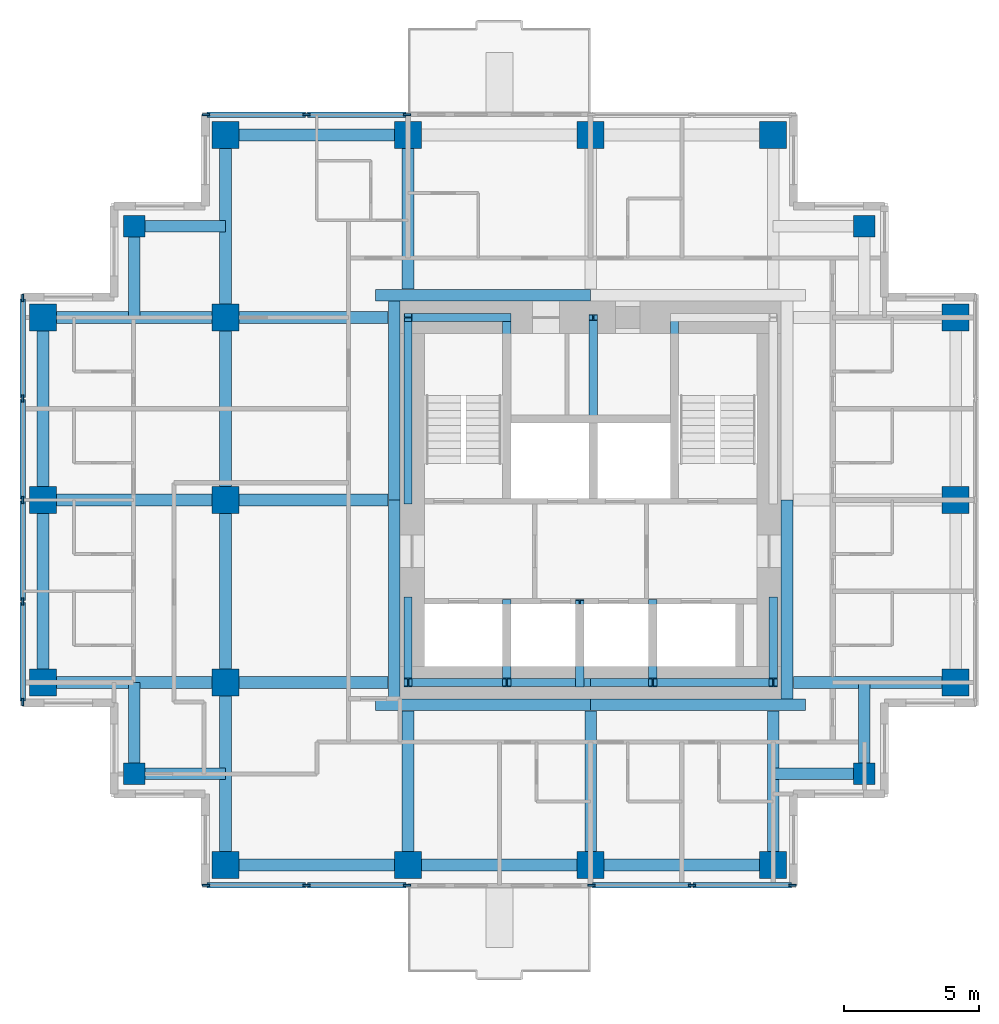
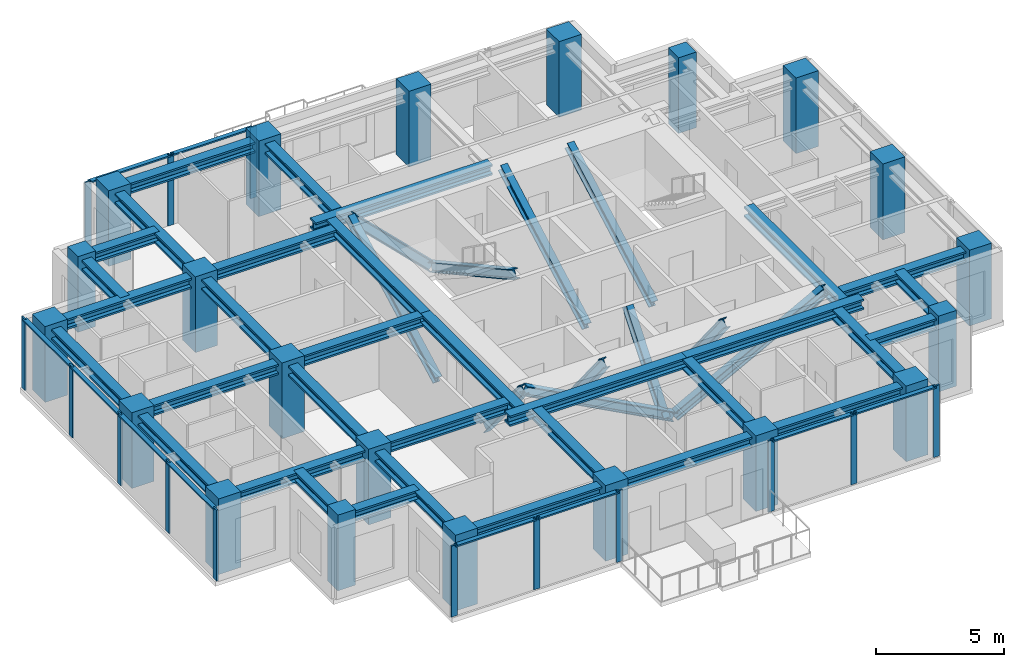
# One storey, part 1 of 8: 36 members, 33 beams, 21 columns, 4 elements without a shape of their own.
"""IFC4 building model written with IfcOpenShell, lengths in metres."""

from ifc_helpers import new_model, si_unit, direction, frame, origin, origin_2d, place, context, subcontext, project, spatial, rectangle, i_section, extrude, material, material_profile, profile_set, type_object, element, aggregate, save


model = new_model("IFC4")

# Units and contexts
model_context = context("Model", 3, precision=1e-05, world=origin(), true_north=direction((0.0, 1.0)))
body_context = subcontext(model_context, "Body", "Model", "MODEL_VIEW")
ifc_project = project(units=[si_unit("LENGTHUNIT", "METRE"), si_unit("AREAUNIT", "SQUARE_METRE"), si_unit("VOLUMEUNIT", "CUBIC_METRE"), si_unit("PLANEANGLEUNIT", "RADIAN"), si_unit("MASSUNIT", "GRAM", prefix="KILO")], contexts=[model_context])

# Site, building, storey
site_placement = place(None, origin())
site = spatial("IfcSite", under=ifc_project, at=site_placement, CompositionType="ELEMENT")
building_placement = place(site_placement, origin())
building = spatial("IfcBuilding", under=site, at=building_placement, Name="Nyansa Garden Tower", CompositionType="ELEMENT")
storey_placement = place(building_placement, frame((0.0, 0.0, 240.300048828125)))
storey = spatial("IfcBuildingStorey", under=building, at=storey_placement, Name="L65", CompositionType="ELEMENT", Elevation=240.300048828125)

# Columns
ifc_material_1 = material(Name="Concrete C70/85", Category="concrete")
ifc_material_profile_1 = material_profile(ifc_material_1, rectangle(XDim=1.0, YDim=1.0, at=origin_2d()), Name="RC 1000x1000")
ifc_profile_set_1 = profile_set([ifc_material_profile_1], Name="Concrete C70/85")
column_type_1 = type_object("IfcColumnType", Name="Column C100 RC 1000x1000", PredefinedType="COLUMN", material=ifc_profile_set_1)
for number, where, z_axis, x_axis, name in (
    (1, (0.0, 13.5, 0.0), (0.0, 0.0, 1.0), (1.0, 0.0, 0.0), "Column 2/F L65"),
    (2, (0.0, 20.25, 0.0), (0.0, 0.0, 1.0), (1.0, 0.0, 0.0), "Column 2/G L65"),
    (3, (0.0, 27.0, 0.0), (0.0, 0.0, 1.0), (1.0, 0.0, 0.0), "Column 2/H L65"),
    (4, (6.75, 6.75, 0.0), (0.0, 0.0, 1.0), (1.0, 0.0, 0.0), "Column 3/E L65"),
    (5, (6.75, 13.5, 0.0), (0.0, 0.0, 1.0), (1.0, 0.0, 0.0), "Column 3/F L65"),
    (6, (6.75, 20.25, 0.0), (0.0, 0.0, 1.0), (1.0, 0.0, 0.0), "Column 3/G L65"),
    (7, (6.75, 27.0, 0.0), (0.0, 0.0, 1.0), (1.0, 0.0, 0.0), "Column 3/H L65"),
    (8, (6.75, 33.75, 0.0), (0.0, 0.0, 1.0), (1.0, 0.0, 0.0), "Column 3/J L65"),
    (9, (13.5, 6.75, 0.0), (0.0, 0.0, 1.0), (1.0, 0.0, 0.0), "Column 4/E L65"),
    (10, (13.5, 33.75, 0.0), (0.0, 0.0, 1.0), (1.0, 0.0, 0.0), "Column 4/J L65"),
    (11, (20.25, 6.75, 0.0), (0.0, 0.0, 1.0), (1.0, 0.0, 0.0), "Column 5/E L65"),
    (12, (20.25, 33.75, 0.0), (0.0, 0.0, 1.0), (1.0, 0.0, 0.0), "Column 5/J L65"),
    (13, (27.0, 6.75, 0.0), (0.0, 0.0, 1.0), (1.0, 0.0, 0.0), "Column 6/E L65"),
    (14, (27.0, 33.75, 0.0), (0.0, 0.0, 1.0), (1.0, 0.0, 0.0), "Column 6/J L65"),
    (15, (33.75, 13.5, 0.0), (0.0, 0.0, 1.0), (1.0, 0.0, 0.0), "Column 7/F L65"),
    (16, (33.75, 20.25, 0.0), (0.0, 0.0, 1.0), (1.0, 0.0, 0.0), "Column 7/G L65"),
    (17, (33.75, 27.0, 0.0), (0.0, 0.0, 1.0), (1.0, 0.0, 0.0), "Column 7/H L65"),
):
    element("IfcColumn", number, at=place(storey_placement, frame(where, z_axis=z_axis, x_axis=x_axis)), inside=storey, type_object=column_type_1, Name=name, PredefinedType="COLUMN", context=body_context, shape_type="SweptSolid", body=[
        extrude(rectangle(XDim=1.0, YDim=1.0, at=origin_2d()), origin(), (0.0, 0.0, 1.0), 3.599853515625),
    ])
ifc_material_2 = material(Name="Concrete C70/85", Category="concrete")
ifc_material_profile_2 = material_profile(ifc_material_2, rectangle(XDim=0.800048828125, YDim=0.800048828125, at=origin_2d()), Name="RC 800x800")
ifc_profile_set_2 = profile_set([ifc_material_profile_2], Name="Concrete C70/85")
column_type_2 = type_object("IfcColumnType", Name="Column C80 RC 800x800", PredefinedType="COLUMN", material=ifc_profile_set_2)
for number, where, z_axis, x_axis, name in (
    (18, (3.375, 10.125, 0.0), (0.0, 0.0, 1.0), (1.0, 0.0, 0.0), "Column x3.375/y10.125 L65"),
    (19, (3.375, 30.375, 0.0), (0.0, 0.0, 1.0), (1.0, 0.0, 0.0), "Column x3.375/y30.375 L65"),
    (20, (30.375, 10.125, 0.0), (0.0, 0.0, 1.0), (1.0, 0.0, 0.0), "Column x30.375/y10.125 L65"),
    (21, (30.375, 30.375, 0.0), (0.0, 0.0, 1.0), (1.0, 0.0, 0.0), "Column x30.375/y30.375 L65"),
):
    element("IfcColumn", number, at=place(storey_placement, frame(where, z_axis=z_axis, x_axis=x_axis)), inside=storey, type_object=column_type_2, Name=name, PredefinedType="COLUMN", context=body_context, shape_type="SweptSolid", body=[
        extrude(rectangle(XDim=0.800048828125, YDim=0.800048828125, at=origin_2d()), origin(), (0.0, 0.0, 1.0), 3.599853515625),
    ])

# Curtain wall, members
ifc_material_3 = material(Name="Black anodised aluminium, dark tinted double glazing", Category="aluminium")
curtain_wall_type = type_object("IfcCurtainWallType", Name="Inner skin curtain wall ISW-D", PredefinedType="USERDEFINED", material=ifc_material_3)
curtain_wall_1_placement = place(storey_placement, origin())
curtain_wall_1 = element("IfcCurtainWall", 22, at=curtain_wall_1_placement, inside=storey, type_object=curtain_wall_type, Name="Inner skin curtain wall L65 N", ObjectType="UNITISED CURTAIN WALL", PredefinedType="USERDEFINED")
ifc_material_4 = material(Name="Black anodised aluminium", Category="aluminium")
ifc_material_profile_3 = material_profile(ifc_material_4, rectangle(XDim=0.070068359375, YDim=0.27490234375, at=origin_2d()), Name="Mullion 275x70")
ifc_profile_set_3 = profile_set([ifc_material_profile_3], Name="Black anodised aluminium")
member_type_1 = type_object("IfcMemberType", Name="Mullion ISW-D 275x70", PredefinedType="MULLION", material=ifc_profile_set_3)
member_1_placement = place(storey_placement, frame((13.465087890625, 34.5, 0.0), z_axis=(0.0, 0.0, 1.0), x_axis=(0.0, -1.0, 0.0)))
member_1 = element("IfcMember", 23, at=member_1_placement, type_object=member_type_1, Name="ISW-D mullion 1", PredefinedType="MULLION", context=body_context, shape_type="SweptSolid", body=[
    extrude(rectangle(XDim=0.070068359375, YDim=0.27490234375, at=origin_2d()), origin(), (0.0, 0.0, 1.0), 3.375),
])
member_2_placement = place(storey_placement, frame((9.75, 34.5, 0.0), z_axis=(0.0, 0.0, 1.0), x_axis=(0.0, -1.0, 0.0)))
member_2 = element("IfcMember", 24, at=member_2_placement, type_object=member_type_1, Name="ISW-D mullion 2", PredefinedType="MULLION", context=body_context, shape_type="SweptSolid", body=[
    extrude(rectangle(XDim=0.070068359375, YDim=0.27490234375, at=origin_2d()), origin(), (0.0, 0.0, 1.0), 3.375),
])
member_3_placement = place(storey_placement, frame((6.034912109375, 34.5, 0.0), z_axis=(0.0, 0.0, 1.0), x_axis=(0.0, -1.0, 0.0)))
member_3 = element("IfcMember", 25, at=member_3_placement, type_object=member_type_1, Name="ISW-D mullion 3", PredefinedType="MULLION", context=body_context, shape_type="SweptSolid", body=[
    extrude(rectangle(XDim=0.070068359375, YDim=0.27490234375, at=origin_2d()), origin(), (0.0, 0.0, 1.0), 3.375),
])

curtain_wall_2_placement = place(storey_placement, origin())
curtain_wall_2 = element("IfcCurtainWall", 26, at=curtain_wall_2_placement, inside=storey, type_object=curtain_wall_type, Name="Inner skin curtain wall L65 W", ObjectType="UNITISED CURTAIN WALL", PredefinedType="USERDEFINED")
member_4_placement = place(storey_placement, frame((-0.75, 27.715087890625, 0.0), z_axis=(0.0, 0.0, 1.0), x_axis=(1.0, 0.0, 0.0)))
member_4 = element("IfcMember", 27, at=member_4_placement, type_object=member_type_1, Name="ISW-D mullion 1", PredefinedType="MULLION", context=body_context, shape_type="SweptSolid", body=[
    extrude(rectangle(XDim=0.070068359375, YDim=0.27490234375, at=origin_2d()), origin(), (0.0, 0.0, 1.0), 3.375),
])
member_5_placement = place(storey_placement, frame((-0.75, 24.0, 0.0), z_axis=(0.0, 0.0, 1.0), x_axis=(1.0, 0.0, 0.0)))
member_5 = element("IfcMember", 28, at=member_5_placement, type_object=member_type_1, Name="ISW-D mullion 2", PredefinedType="MULLION", context=body_context, shape_type="SweptSolid", body=[
    extrude(rectangle(XDim=0.070068359375, YDim=0.27490234375, at=origin_2d()), origin(), (0.0, 0.0, 1.0), 3.375),
])
member_6_placement = place(storey_placement, frame((-0.75, 20.25, 0.0), z_axis=(0.0, 0.0, 1.0), x_axis=(1.0, 0.0, 0.0)))
member_6 = element("IfcMember", 29, at=member_6_placement, type_object=member_type_1, Name="ISW-D mullion 3", PredefinedType="MULLION", context=body_context, shape_type="SweptSolid", body=[
    extrude(rectangle(XDim=0.070068359375, YDim=0.27490234375, at=origin_2d()), origin(), (0.0, 0.0, 1.0), 3.375),
])
member_7_placement = place(storey_placement, frame((-0.75, 16.5, 0.0), z_axis=(0.0, 0.0, 1.0), x_axis=(1.0, 0.0, 0.0)))
member_7 = element("IfcMember", 30, at=member_7_placement, type_object=member_type_1, Name="ISW-D mullion 4", PredefinedType="MULLION", context=body_context, shape_type="SweptSolid", body=[
    extrude(rectangle(XDim=0.070068359375, YDim=0.27490234375, at=origin_2d()), origin(), (0.0, 0.0, 1.0), 3.375),
])
member_8_placement = place(storey_placement, frame((-0.75, 12.784912109375, 0.0), z_axis=(0.0, 0.0, 1.0), x_axis=(1.0, 0.0, 0.0)))
member_8 = element("IfcMember", 31, at=member_8_placement, type_object=member_type_1, Name="ISW-D mullion 5", PredefinedType="MULLION", context=body_context, shape_type="SweptSolid", body=[
    extrude(rectangle(XDim=0.070068359375, YDim=0.27490234375, at=origin_2d()), origin(), (0.0, 0.0, 1.0), 3.375),
])

curtain_wall_3_placement = place(storey_placement, origin())
curtain_wall_3 = element("IfcCurtainWall", 32, at=curtain_wall_3_placement, inside=storey, type_object=curtain_wall_type, Name="Inner skin curtain wall L65 S", ObjectType="UNITISED CURTAIN WALL", PredefinedType="USERDEFINED")
member_9_placement = place(storey_placement, frame((6.034912109375, 6.0, 0.0), z_axis=(0.0, 0.0, 1.0), x_axis=(0.0, 1.0, 0.0)))
member_9 = element("IfcMember", 33, at=member_9_placement, type_object=member_type_1, Name="ISW-D mullion 1", PredefinedType="MULLION", context=body_context, shape_type="SweptSolid", body=[
    extrude(rectangle(XDim=0.070068359375, YDim=0.27490234375, at=origin_2d()), origin(), (0.0, 0.0, 1.0), 3.375),
])
member_10_placement = place(storey_placement, frame((9.75, 6.0, 0.0), z_axis=(0.0, 0.0, 1.0), x_axis=(0.0, 1.0, 0.0)))
member_10 = element("IfcMember", 34, at=member_10_placement, type_object=member_type_1, Name="ISW-D mullion 2", PredefinedType="MULLION", context=body_context, shape_type="SweptSolid", body=[
    extrude(rectangle(XDim=0.070068359375, YDim=0.27490234375, at=origin_2d()), origin(), (0.0, 0.0, 1.0), 3.375),
])
member_11_placement = place(storey_placement, frame((13.465087890625, 6.0, 0.0), z_axis=(0.0, 0.0, 1.0), x_axis=(0.0, 1.0, 0.0)))
member_11 = element("IfcMember", 35, at=member_11_placement, type_object=member_type_1, Name="ISW-D mullion 3", PredefinedType="MULLION", context=body_context, shape_type="SweptSolid", body=[
    extrude(rectangle(XDim=0.070068359375, YDim=0.27490234375, at=origin_2d()), origin(), (0.0, 0.0, 1.0), 3.375),
])

curtain_wall_4_placement = place(storey_placement, origin())
curtain_wall_4 = element("IfcCurtainWall", 36, at=curtain_wall_4_placement, inside=storey, type_object=curtain_wall_type, Name="Inner skin curtain wall L65 S", ObjectType="UNITISED CURTAIN WALL", PredefinedType="USERDEFINED")
member_12_placement = place(storey_placement, frame((20.284912109375, 6.0, 0.0), z_axis=(0.0, 0.0, 1.0), x_axis=(0.0, 1.0, 0.0)))
member_12 = element("IfcMember", 37, at=member_12_placement, type_object=member_type_1, Name="ISW-D mullion 1", PredefinedType="MULLION", context=body_context, shape_type="SweptSolid", body=[
    extrude(rectangle(XDim=0.070068359375, YDim=0.27490234375, at=origin_2d()), origin(), (0.0, 0.0, 1.0), 3.375),
])
member_13_placement = place(storey_placement, frame((24.0, 6.0, 0.0), z_axis=(0.0, 0.0, 1.0), x_axis=(0.0, 1.0, 0.0)))
member_13 = element("IfcMember", 38, at=member_13_placement, type_object=member_type_1, Name="ISW-D mullion 2", PredefinedType="MULLION", context=body_context, shape_type="SweptSolid", body=[
    extrude(rectangle(XDim=0.070068359375, YDim=0.27490234375, at=origin_2d()), origin(), (0.0, 0.0, 1.0), 3.375),
])
member_14_placement = place(storey_placement, frame((27.715087890625, 6.0, 0.0), z_axis=(0.0, 0.0, 1.0), x_axis=(0.0, 1.0, 0.0)))
member_14 = element("IfcMember", 39, at=member_14_placement, type_object=member_type_1, Name="ISW-D mullion 3", PredefinedType="MULLION", context=body_context, shape_type="SweptSolid", body=[
    extrude(rectangle(XDim=0.070068359375, YDim=0.27490234375, at=origin_2d()), origin(), (0.0, 0.0, 1.0), 3.375),
])

# Members
ifc_material_5 = material(Name="Steel S355", Category="steel")
ifc_material_profile_4 = material_profile(ifc_material_5, i_section(OverallWidth=0.306884765625, OverallDepth=0.431884765625, WebThickness=0.02099609375, FlangeThickness=0.0400390625, FilletRadius=0.027099609375, at=origin_2d()), Name="HE 400 M")
ifc_profile_set_4 = profile_set([ifc_material_profile_4], Name="Steel S355")
member_type_2 = type_object("IfcMemberType", Name="Perimeter brace HE 400 M", PredefinedType="BRACE", material=ifc_profile_set_4)
for number, where, z_axis, x_axis, name in (
    (40, (20.25, 13.5, 0.0), (-0.882360891967, 0.0, 0.470573327259), (0.0, -1.0, 0.0), "Core brace CS1 L65"),
    (41, (20.25, 13.5, 0.0), (0.882360891967, 0.0, 0.470573327259), (0.0, 1.0, 0.0), "Core brace CS2 L65"),
):
    element("IfcMember", number, at=place(storey_placement, frame(where, z_axis=z_axis, x_axis=x_axis)), inside=storey, type_object=member_type_2, Name=name, PredefinedType="BRACE", context=body_context, shape_type="SweptSolid", body=[
        extrude(i_section(OverallWidth=0.306884765625, OverallDepth=0.431884765625, WebThickness=0.02099609375, FlangeThickness=0.0400390625, FilletRadius=0.027099609375, at=origin_2d()), origin(), (0.0, 0.0, 1.0), 7.64990234375),
    ])
member_15_placement = place(storey_placement, frame((17.14990234375, 27.0, 0.0), z_axis=(-0.711971340796, 0.0, 0.702208523079), x_axis=(0.0, -1.0, 0.0)))
element("IfcMember", 42, at=member_15_placement, inside=storey, type_object=member_type_2, Name="Core brace CN3 L65", PredefinedType="BRACE", context=body_context, shape_type="SweptSolid", body=[
    extrude(i_section(OverallWidth=0.306884765625, OverallDepth=0.431884765625, WebThickness=0.02099609375, FlangeThickness=0.0400390625, FilletRadius=0.027099609375, at=origin_2d()), origin(), (0.0, 0.0, 1.0), 5.12646484375),
])
member_16_placement = place(storey_placement, frame((13.5, 16.5, 0.0), z_axis=(0.0, -0.640199773186, 0.768208468069), x_axis=(1.0, 0.0, 0.0)))
element("IfcMember", 43, at=member_16_placement, inside=storey, type_object=member_type_2, Name="Core brace CW5 L65", PredefinedType="BRACE", context=body_context, shape_type="SweptSolid", body=[
    extrude(i_section(OverallWidth=0.306884765625, OverallDepth=0.431884765625, WebThickness=0.02099609375, FlangeThickness=0.0400390625, FilletRadius=0.027099609375, at=origin_2d()), origin(), (0.0, 0.0, 1.0), 4.68603515625),
])
member_17_placement = place(storey_placement, frame((13.5, 20.199951171875, 0.0), z_axis=(0.0, 0.883797178129, 0.467870225524), x_axis=(-1.0, 0.0, 0.0)))
element("IfcMember", 44, at=member_17_placement, inside=storey, type_object=member_type_2, Name="Core brace CW6 L65", PredefinedType="BRACE", context=body_context, shape_type="SweptSolid", body=[
    extrude(i_section(OverallWidth=0.306884765625, OverallDepth=0.431884765625, WebThickness=0.02099609375, FlangeThickness=0.0400390625, FilletRadius=0.027099609375, at=origin_2d()), origin(), (0.0, 0.0, 1.0), 7.694091796875),
])
member_18_placement = place(storey_placement, frame((27.0, 16.5, 0.0), z_axis=(0.0, -0.640199773186, 0.768208468069), x_axis=(1.0, 0.0, 0.0)))
element("IfcMember", 45, at=member_18_placement, inside=storey, type_object=member_type_2, Name="Core brace CE7 L65", PredefinedType="BRACE", context=body_context, shape_type="SweptSolid", body=[
    extrude(i_section(OverallWidth=0.306884765625, OverallDepth=0.431884765625, WebThickness=0.02099609375, FlangeThickness=0.0400390625, FilletRadius=0.027099609375, at=origin_2d()), origin(), (0.0, 0.0, 1.0), 4.68603515625),
])
for number, where, z_axis, x_axis, name in (
    (46, (17.14990234375, 27.0, 0.0), (0.0, -0.876366901673, 0.481644115143), (1.0, 0.0, 0.0), "Core brace CWS9 L65"),
    (47, (23.35009765625, 20.449951171875, 0.0), (0.0, 0.876366901673, 0.481644115143), (-1.0, 0.0, 0.0), "Core brace CES10 L65"),
):
    element("IfcMember", number, at=place(storey_placement, frame(where, z_axis=z_axis, x_axis=x_axis)), inside=storey, type_object=member_type_2, Name=name, PredefinedType="BRACE", context=body_context, shape_type="SweptSolid", body=[
        extrude(i_section(OverallWidth=0.306884765625, OverallDepth=0.431884765625, WebThickness=0.02099609375, FlangeThickness=0.0400390625, FilletRadius=0.027099609375, at=origin_2d()), origin(), (0.0, 0.0, 1.0), 7.47412109375),
    ])
for number, where, z_axis, x_axis, name in (
    (48, (17.14990234375, 16.39990234375, 0.0), (0.0, -0.627332207022, 0.778751758928), (1.0, 0.0, 0.0), "Core brace CSW11 L65"),
    (49, (19.85009765625, 13.5, 0.0), (0.0, 0.627332207022, 0.778751758928), (-1.0, 0.0, 0.0), "Core brace CSW12 L65"),
    (50, (22.550048828125, 16.39990234375, 0.0), (0.0, -0.627332207022, 0.778751758928), (1.0, 0.0, 0.0), "Core brace CSW13 L65"),
):
    element("IfcMember", number, at=place(storey_placement, frame(where, z_axis=z_axis, x_axis=x_axis)), inside=storey, type_object=member_type_2, Name=name, PredefinedType="BRACE", context=body_context, shape_type="SweptSolid", body=[
        extrude(i_section(OverallWidth=0.306884765625, OverallDepth=0.431884765625, WebThickness=0.02099609375, FlangeThickness=0.0400390625, FilletRadius=0.027099609375, at=origin_2d()), origin(), (0.0, 0.0, 1.0), 4.62255859375),
    ])
member_19_placement = place(storey_placement, frame((20.35009765625, 20.449951171875, 0.0), z_axis=(0.0, 0.876366901673, 0.481644115143), x_axis=(-1.0, 0.0, 0.0)))
element("IfcMember", 51, at=member_19_placement, inside=storey, type_object=member_type_2, Name="Core brace CNW14 L65", PredefinedType="BRACE", context=body_context, shape_type="SweptSolid", body=[
    extrude(i_section(OverallWidth=0.306884765625, OverallDepth=0.431884765625, WebThickness=0.02099609375, FlangeThickness=0.0400390625, FilletRadius=0.027099609375, at=origin_2d()), origin(), (0.0, 0.0, 1.0), 7.47412109375),
])

# Beams
ifc_material_6 = material(Name="Steel S355", Category="steel")
ifc_material_profile_5 = material_profile(ifc_material_6, i_section(OverallWidth=0.431884765625, OverallDepth=0.498046875, WebThickness=0.0556640625, FlangeThickness=0.0888671875, FilletRadius=0.014892578125, at=origin_2d()), Name="HD 400x744")
ifc_profile_set_5 = profile_set([ifc_material_profile_5], Name="Steel S355")
beam_type_1 = type_object("IfcBeamType", Name="Steel beam SBD1-744 HD 400x744", PredefinedType="BEAM", material=ifc_profile_set_5)
for number, where, z_axis, x_axis, name in (
    (52, (0.0, 13.5, 3.1259765625), (1.0, 0.0, 0.0), (0.0, 1.0, 0.0), "Steel beam 2/F-3/F L66"),
    (53, (0.0, 20.25, 3.1259765625), (1.0, 0.0, 0.0), (0.0, 1.0, 0.0), "Steel beam 2/G-3/G L66"),
    (54, (0.0, 27.0, 3.1259765625), (1.0, 0.0, 0.0), (0.0, 1.0, 0.0), "Steel beam 2/H-3/H L66"),
    (55, (6.75, 6.75, 3.1259765625), (0.0, 1.0, 0.0), (-1.0, 0.0, 0.0), "Steel beam 3/E-3/F L66"),
    (56, (6.75, 13.5, 3.1259765625), (0.0, 1.0, 0.0), (-1.0, 0.0, 0.0), "Steel beam 3/F-3/G L66"),
):
    element("IfcBeam", number, at=place(storey_placement, frame(where, z_axis=z_axis, x_axis=x_axis)), inside=storey, type_object=beam_type_1, Name=name, PredefinedType="BEAM", context=body_context, shape_type="SweptSolid", body=[
        extrude(i_section(OverallWidth=0.431884765625, OverallDepth=0.498046875, WebThickness=0.0556640625, FlangeThickness=0.0888671875, FilletRadius=0.014892578125, at=origin_2d()), origin(), (0.0, 0.0, 1.0), 6.75),
    ])
beam_1_placement = place(storey_placement, frame((6.75, 13.5, 3.1259765625), z_axis=(1.0, 0.0, 0.0), x_axis=(0.0, 1.0, 0.0)))
element("IfcBeam", 57, at=beam_1_placement, inside=storey, type_object=beam_type_1, Name="Steel beam 3/F-12.750/F L66", PredefinedType="BEAM", context=body_context, shape_type="SweptSolid", body=[
    extrude(i_section(OverallWidth=0.431884765625, OverallDepth=0.498046875, WebThickness=0.0556640625, FlangeThickness=0.0888671875, FilletRadius=0.014892578125, at=origin_2d()), origin(), (0.0, 0.0, 1.0), 6.0),
])
beam_2_placement = place(storey_placement, frame((6.75, 20.25, 3.1259765625), z_axis=(0.0, 1.0, 0.0), x_axis=(-1.0, 0.0, 0.0)))
element("IfcBeam", 58, at=beam_2_placement, inside=storey, type_object=beam_type_1, Name="Steel beam 3/G-3/H L66", PredefinedType="BEAM", context=body_context, shape_type="SweptSolid", body=[
    extrude(i_section(OverallWidth=0.431884765625, OverallDepth=0.498046875, WebThickness=0.0556640625, FlangeThickness=0.0888671875, FilletRadius=0.014892578125, at=origin_2d()), origin(), (0.0, 0.0, 1.0), 6.75),
])
beam_3_placement = place(storey_placement, frame((6.75, 20.25, 3.1259765625), z_axis=(1.0, 0.0, 0.0), x_axis=(0.0, 1.0, 0.0)))
element("IfcBeam", 59, at=beam_3_placement, inside=storey, type_object=beam_type_1, Name="Steel beam 3/G-12.750/G L66", PredefinedType="BEAM", context=body_context, shape_type="SweptSolid", body=[
    extrude(i_section(OverallWidth=0.431884765625, OverallDepth=0.498046875, WebThickness=0.0556640625, FlangeThickness=0.0888671875, FilletRadius=0.014892578125, at=origin_2d()), origin(), (0.0, 0.0, 1.0), 6.0),
])
beam_4_placement = place(storey_placement, frame((6.75, 27.0, 3.1259765625), z_axis=(0.0, 1.0, 0.0), x_axis=(-1.0, 0.0, 0.0)))
element("IfcBeam", 60, at=beam_4_placement, inside=storey, type_object=beam_type_1, Name="Steel beam 3/H-3/J L66", PredefinedType="BEAM", context=body_context, shape_type="SweptSolid", body=[
    extrude(i_section(OverallWidth=0.431884765625, OverallDepth=0.498046875, WebThickness=0.0556640625, FlangeThickness=0.0888671875, FilletRadius=0.014892578125, at=origin_2d()), origin(), (0.0, 0.0, 1.0), 6.75),
])
beam_5_placement = place(storey_placement, frame((6.75, 27.0, 3.1259765625), z_axis=(1.0, 0.0, 0.0), x_axis=(0.0, 1.0, 0.0)))
element("IfcBeam", 61, at=beam_5_placement, inside=storey, type_object=beam_type_1, Name="Steel beam 3/H-12.750/H L66", PredefinedType="BEAM", context=body_context, shape_type="SweptSolid", body=[
    extrude(i_section(OverallWidth=0.431884765625, OverallDepth=0.498046875, WebThickness=0.0556640625, FlangeThickness=0.0888671875, FilletRadius=0.014892578125, at=origin_2d()), origin(), (0.0, 0.0, 1.0), 6.0),
])
for number, where, z_axis, x_axis, name in (
    (62, (13.5, 6.75, 3.1259765625), (0.0, 1.0, 0.0), (-1.0, 0.0, 0.0), "Steel beam 4/E-4/12.450 L66"),
    (63, (13.5, 28.050048828125, 3.1259765625), (0.0, 1.0, 0.0), (-1.0, 0.0, 0.0), "Steel beam 4/28.050-4/J L66"),
    (64, (20.25, 6.75, 3.1259765625), (0.0, 1.0, 0.0), (-1.0, 0.0, 0.0), "Steel beam 5/E-5/12.450 L66"),
    (65, (27.0, 6.75, 3.1259765625), (0.0, 1.0, 0.0), (-1.0, 0.0, 0.0), "Steel beam 6/E-6/12.450 L66"),
):
    element("IfcBeam", number, at=place(storey_placement, frame(where, z_axis=z_axis, x_axis=x_axis)), inside=storey, type_object=beam_type_1, Name=name, PredefinedType="BEAM", context=body_context, shape_type="SweptSolid", body=[
        extrude(i_section(OverallWidth=0.431884765625, OverallDepth=0.498046875, WebThickness=0.0556640625, FlangeThickness=0.0888671875, FilletRadius=0.014892578125, at=origin_2d()), origin(), (0.0, 0.0, 1.0), 5.699951171875),
    ])
beam_6_placement = place(storey_placement, frame((27.75, 13.5, 3.1259765625), z_axis=(1.0, 0.0, 0.0), x_axis=(0.0, 1.0, 0.0)))
element("IfcBeam", 66, at=beam_6_placement, inside=storey, type_object=beam_type_1, Name="Steel beam 27.750/F-7/F L66", PredefinedType="BEAM", context=body_context, shape_type="SweptSolid", body=[
    extrude(i_section(OverallWidth=0.431884765625, OverallDepth=0.498046875, WebThickness=0.0556640625, FlangeThickness=0.0888671875, FilletRadius=0.014892578125, at=origin_2d()), origin(), (0.0, 0.0, 1.0), 6.0),
])
ifc_material_7 = material(Name="Steel S355", Category="steel")
ifc_material_profile_6 = material_profile(ifc_material_7, i_section(OverallWidth=0.431884765625, OverallDepth=0.498046875, WebThickness=0.0556640625, FlangeThickness=0.0888671875, FilletRadius=0.014892578125, at=origin_2d()), Name="HD 400x744")
ifc_profile_set_6 = profile_set([ifc_material_profile_6], Name="Steel S355")
beam_type_2 = type_object("IfcBeamType", Name="Steel beam SEBD-744 HD 400x744", PredefinedType="BEAM", material=ifc_profile_set_6)
for number, where, z_axis, x_axis, name in (
    (67, (0.0, 13.5, 3.1259765625), (0.0, 1.0, 0.0), (-1.0, 0.0, 0.0), "Steel edge beam 2/F-2/G L66"),
    (68, (0.0, 20.25, 3.1259765625), (0.0, 1.0, 0.0), (-1.0, 0.0, 0.0), "Steel edge beam 2/G-2/H L66"),
    (69, (6.75, 6.75, 3.1259765625), (1.0, 0.0, 0.0), (0.0, 1.0, 0.0), "Steel edge beam 3/E-4/E L66"),
    (70, (6.75, 33.75, 3.1259765625), (1.0, 0.0, 0.0), (0.0, 1.0, 0.0), "Steel edge beam 3/J-4/J L66"),
    (71, (13.5, 6.75, 3.1259765625), (1.0, 0.0, 0.0), (0.0, 1.0, 0.0), "Steel edge beam 4/E-5/E L66"),
    (72, (20.25, 6.75, 3.1259765625), (1.0, 0.0, 0.0), (0.0, 1.0, 0.0), "Steel edge beam 5/E-6/E L66"),
):
    element("IfcBeam", number, at=place(storey_placement, frame(where, z_axis=z_axis, x_axis=x_axis)), inside=storey, type_object=beam_type_2, Name=name, PredefinedType="BEAM", context=body_context, shape_type="SweptSolid", body=[
        extrude(i_section(OverallWidth=0.431884765625, OverallDepth=0.498046875, WebThickness=0.0556640625, FlangeThickness=0.0888671875, FilletRadius=0.014892578125, at=origin_2d()), origin(), (0.0, 0.0, 1.0), 6.75),
    ])
ifc_material_8 = material(Name="Steel S355", Category="steel")
ifc_material_profile_7 = material_profile(ifc_material_8, i_section(OverallWidth=0.431884765625, OverallDepth=0.498046875, WebThickness=0.0556640625, FlangeThickness=0.0888671875, FilletRadius=0.014892578125, at=origin_2d()), Name="HD 400x744")
ifc_profile_set_7 = profile_set([ifc_material_profile_7], Name="Steel S355")
beam_type_3 = type_object("IfcBeamType", Name="Steel beam SLB1-744 HD 400x744", PredefinedType="BEAM", material=ifc_profile_set_7)
for number, where, z_axis, x_axis, name in (
    (73, (12.300048828125, 12.68408203125, 3.1259765625), (1.0, 0.0, 0.0), (0.0, 1.0, 0.0), "Steel core ledger beam S.1 L66"),
    (74, (20.25, 12.68408203125, 3.1259765625), (1.0, 0.0, 0.0), (0.0, 1.0, 0.0), "Steel core ledger beam S.2 L66"),
):
    element("IfcBeam", number, at=place(storey_placement, frame(where, z_axis=z_axis, x_axis=x_axis)), inside=storey, type_object=beam_type_3, Name=name, PredefinedType="BEAM", context=body_context, shape_type="SweptSolid", body=[
        extrude(i_section(OverallWidth=0.431884765625, OverallDepth=0.498046875, WebThickness=0.0556640625, FlangeThickness=0.0888671875, FilletRadius=0.014892578125, at=origin_2d()), origin(), (0.0, 0.0, 1.0), 7.949951171875),
    ])
beam_7_placement = place(storey_placement, frame((27.51611328125, 12.89990234375, 3.1259765625), z_axis=(0.0, 1.0, 0.0), x_axis=(-1.0, 0.0, 0.0)))
element("IfcBeam", 75, at=beam_7_placement, inside=storey, type_object=beam_type_3, Name="Steel core ledger beam E.1 L66", PredefinedType="BEAM", context=body_context, shape_type="SweptSolid", body=[
    extrude(i_section(OverallWidth=0.431884765625, OverallDepth=0.498046875, WebThickness=0.0556640625, FlangeThickness=0.0888671875, FilletRadius=0.014892578125, at=origin_2d()), origin(), (0.0, 0.0, 1.0), 7.35009765625),
])
beam_8_placement = place(storey_placement, frame((20.25, 27.81591796875, 3.1259765625), z_axis=(-1.0, 0.0, 0.0), x_axis=(0.0, -1.0, 0.0)))
element("IfcBeam", 76, at=beam_8_placement, inside=storey, type_object=beam_type_3, Name="Steel core ledger beam N.2 L66", PredefinedType="BEAM", context=body_context, shape_type="SweptSolid", body=[
    extrude(i_section(OverallWidth=0.431884765625, OverallDepth=0.498046875, WebThickness=0.0556640625, FlangeThickness=0.0888671875, FilletRadius=0.014892578125, at=origin_2d()), origin(), (0.0, 0.0, 1.0), 7.949951171875),
])
for number, where, z_axis, x_axis, name in (
    (77, (12.98388671875, 27.60009765625, 3.1259765625), (0.0, -1.0, 0.0), (1.0, 0.0, 0.0), "Steel core ledger beam W.1 L66"),
    (78, (12.98388671875, 20.25, 3.1259765625), (0.0, -1.0, 0.0), (1.0, 0.0, 0.0), "Steel core ledger beam W.2 L66"),
):
    element("IfcBeam", number, at=place(storey_placement, frame(where, z_axis=z_axis, x_axis=x_axis)), inside=storey, type_object=beam_type_3, Name=name, PredefinedType="BEAM", context=body_context, shape_type="SweptSolid", body=[
        extrude(i_section(OverallWidth=0.431884765625, OverallDepth=0.498046875, WebThickness=0.0556640625, FlangeThickness=0.0888671875, FilletRadius=0.014892578125, at=origin_2d()), origin(), (0.0, 0.0, 1.0), 7.35009765625),
    ])
ifc_material_9 = material(Name="Steel S355", Category="steel")
ifc_material_profile_8 = material_profile(ifc_material_9, i_section(OverallWidth=0.431884765625, OverallDepth=0.498046875, WebThickness=0.0556640625, FlangeThickness=0.0888671875, FilletRadius=0.014892578125, at=origin_2d()), Name="HD 400x744")
ifc_profile_set_8 = profile_set([ifc_material_profile_8], Name="Steel S355")
beam_type_4 = type_object("IfcBeamType", Name="Steel beam SSB1-744 HD 400x744", PredefinedType="BEAM", material=ifc_profile_set_8)
for number, where, z_axis, x_axis, name in (
    (79, (3.375, 10.125, 3.1259765625), (0.0, 1.0, 0.0), (-1.0, 0.0, 0.0), "Steel step beam 3.375/10.125 L66"),
    (80, (3.375, 10.125, 3.1259765625), (1.0, 0.0, 0.0), (0.0, 1.0, 0.0), "Steel step beam 3.375/10.125 L66"),
    (81, (30.375, 10.125, 3.1259765625), (0.0, 1.0, 0.0), (-1.0, 0.0, 0.0), "Steel step beam 30.375/10.125 L66"),
    (82, (30.375, 10.125, 3.1259765625), (-1.0, 0.0, 0.0), (0.0, -1.0, 0.0), "Steel step beam 30.375/10.125 L66"),
    (83, (3.375, 30.375, 3.1259765625), (0.0, -1.0, 0.0), (1.0, 0.0, 0.0), "Steel step beam 3.375/30.375 L66"),
    (84, (3.375, 30.375, 3.1259765625), (1.0, 0.0, 0.0), (0.0, 1.0, 0.0), "Steel step beam 3.375/30.375 L66"),
):
    element("IfcBeam", number, at=place(storey_placement, frame(where, z_axis=z_axis, x_axis=x_axis)), inside=storey, type_object=beam_type_4, Name=name, PredefinedType="BEAM", context=body_context, shape_type="SweptSolid", body=[
        extrude(i_section(OverallWidth=0.431884765625, OverallDepth=0.498046875, WebThickness=0.0556640625, FlangeThickness=0.0888671875, FilletRadius=0.014892578125, at=origin_2d()), origin(), (0.0, 0.0, 1.0), 3.375),
    ])

# Member
ifc_material_10 = material(Name="Black anodised aluminium", Category="aluminium")
ifc_material_profile_9 = material_profile(ifc_material_10, rectangle(XDim=0.195068359375, YDim=0.070068359375, at=origin_2d()), Name="Transom 195x70")
ifc_profile_set_9 = profile_set([ifc_material_profile_9], Name="Black anodised aluminium")
member_type_3 = type_object("IfcMemberType", Name="Transom ISW-D 195x70", PredefinedType="USERDEFINED", material=ifc_profile_set_9)
member_20_placement = place(storey_placement, frame((13.429931640625, 34.5, 3.33984375), z_axis=(-1.0, 0.0, 0.0), x_axis=(0.0, -1.0, 0.0)))
member_20 = element("IfcMember", 85, at=member_20_placement, type_object=member_type_3, Name="ISW-D transom 1", ObjectType="TRANSOM", PredefinedType="USERDEFINED", context=body_context, shape_type="SweptSolid", body=[
    extrude(rectangle(XDim=0.195068359375, YDim=0.070068359375, at=origin_2d()), origin(), (0.0, 0.0, 1.0), 3.64501953125),
])

member_21_placement = place(storey_placement, frame((9.715087890625, 34.5, 3.33984375), z_axis=(-1.0, 0.0, 0.0), x_axis=(0.0, -1.0, 0.0)))
member_21 = element("IfcMember", 86, at=member_21_placement, type_object=member_type_3, Name="ISW-D transom 2", ObjectType="TRANSOM", PredefinedType="USERDEFINED", context=body_context, shape_type="SweptSolid", body=[
    extrude(rectangle(XDim=0.195068359375, YDim=0.070068359375, at=origin_2d()), origin(), (0.0, 0.0, 1.0), 3.64501953125),
])

aggregate(curtain_wall_1, [member_1, member_2, member_3, member_20, member_21])

member_22_placement = place(storey_placement, frame((-0.75, 27.679931640625, 3.33984375), z_axis=(0.0, -1.0, 0.0), x_axis=(1.0, 0.0, 0.0)))
member_22 = element("IfcMember", 87, at=member_22_placement, type_object=member_type_3, Name="ISW-D transom 1", ObjectType="TRANSOM", PredefinedType="USERDEFINED", context=body_context, shape_type="SweptSolid", body=[
    extrude(rectangle(XDim=0.195068359375, YDim=0.070068359375, at=origin_2d()), origin(), (0.0, 0.0, 1.0), 3.64501953125),
])

member_23_placement = place(storey_placement, frame((-0.75, 23.965087890625, 3.33984375), z_axis=(0.0, -1.0, 0.0), x_axis=(1.0, 0.0, 0.0)))
member_23 = element("IfcMember", 88, at=member_23_placement, type_object=member_type_3, Name="ISW-D transom 2", ObjectType="TRANSOM", PredefinedType="USERDEFINED", context=body_context, shape_type="SweptSolid", body=[
    extrude(rectangle(XDim=0.195068359375, YDim=0.070068359375, at=origin_2d()), origin(), (0.0, 0.0, 1.0), 3.68017578125),
])

member_24_placement = place(storey_placement, frame((-0.75, 20.215087890625, 3.33984375), z_axis=(0.0, -1.0, 0.0), x_axis=(1.0, 0.0, 0.0)))
member_24 = element("IfcMember", 89, at=member_24_placement, type_object=member_type_3, Name="ISW-D transom 3", ObjectType="TRANSOM", PredefinedType="USERDEFINED", context=body_context, shape_type="SweptSolid", body=[
    extrude(rectangle(XDim=0.195068359375, YDim=0.070068359375, at=origin_2d()), origin(), (0.0, 0.0, 1.0), 3.68017578125),
])

member_25_placement = place(storey_placement, frame((-0.75, 16.465087890625, 3.33984375), z_axis=(0.0, -1.0, 0.0), x_axis=(1.0, 0.0, 0.0)))
member_25 = element("IfcMember", 90, at=member_25_placement, type_object=member_type_3, Name="ISW-D transom 4", ObjectType="TRANSOM", PredefinedType="USERDEFINED", context=body_context, shape_type="SweptSolid", body=[
    extrude(rectangle(XDim=0.195068359375, YDim=0.070068359375, at=origin_2d()), origin(), (0.0, 0.0, 1.0), 3.64501953125),
])

aggregate(curtain_wall_2, [member_4, member_5, member_6, member_7, member_8, member_22, member_23, member_24, member_25])

member_26_placement = place(storey_placement, frame((6.070068359375, 6.0, 3.33984375), z_axis=(1.0, 0.0, 0.0), x_axis=(0.0, 1.0, 0.0)))
member_26 = element("IfcMember", 91, at=member_26_placement, type_object=member_type_3, Name="ISW-D transom 1", ObjectType="TRANSOM", PredefinedType="USERDEFINED", context=body_context, shape_type="SweptSolid", body=[
    extrude(rectangle(XDim=0.195068359375, YDim=0.070068359375, at=origin_2d()), origin(), (0.0, 0.0, 1.0), 3.64501953125),
])

member_27_placement = place(storey_placement, frame((9.784912109375, 6.0, 3.33984375), z_axis=(1.0, 0.0, 0.0), x_axis=(0.0, 1.0, 0.0)))
member_27 = element("IfcMember", 92, at=member_27_placement, type_object=member_type_3, Name="ISW-D transom 2", ObjectType="TRANSOM", PredefinedType="USERDEFINED", context=body_context, shape_type="SweptSolid", body=[
    extrude(rectangle(XDim=0.195068359375, YDim=0.070068359375, at=origin_2d()), origin(), (0.0, 0.0, 1.0), 3.64501953125),
])

aggregate(curtain_wall_3, [member_9, member_10, member_11, member_26, member_27])

member_28_placement = place(storey_placement, frame((20.320068359375, 6.0, 3.33984375), z_axis=(1.0, 0.0, 0.0), x_axis=(0.0, 1.0, 0.0)))
member_28 = element("IfcMember", 93, at=member_28_placement, type_object=member_type_3, Name="ISW-D transom 1", ObjectType="TRANSOM", PredefinedType="USERDEFINED", context=body_context, shape_type="SweptSolid", body=[
    extrude(rectangle(XDim=0.195068359375, YDim=0.070068359375, at=origin_2d()), origin(), (0.0, 0.0, 1.0), 3.64501953125),
])

member_29_placement = place(storey_placement, frame((24.034912109375, 6.0, 3.33984375), z_axis=(1.0, 0.0, 0.0), x_axis=(0.0, 1.0, 0.0)))
member_29 = element("IfcMember", 94, at=member_29_placement, type_object=member_type_3, Name="ISW-D transom 2", ObjectType="TRANSOM", PredefinedType="USERDEFINED", context=body_context, shape_type="SweptSolid", body=[
    extrude(rectangle(XDim=0.195068359375, YDim=0.070068359375, at=origin_2d()), origin(), (0.0, 0.0, 1.0), 3.64501953125),
])

aggregate(curtain_wall_4, [member_12, member_13, member_14, member_28, member_29])

save(model, "model.ifc")
